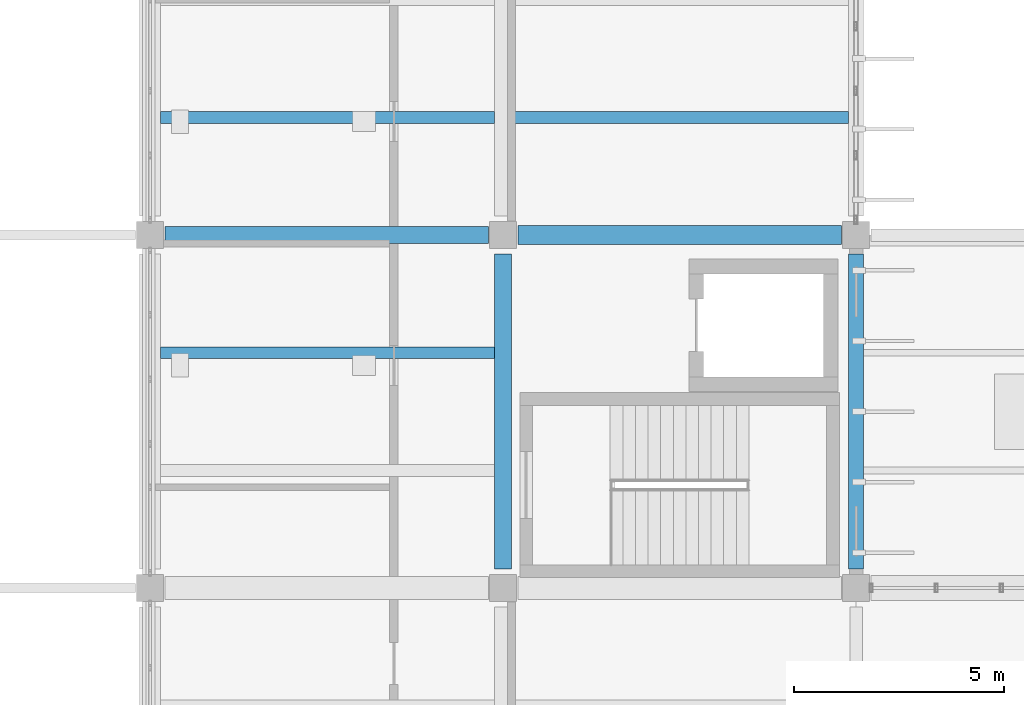
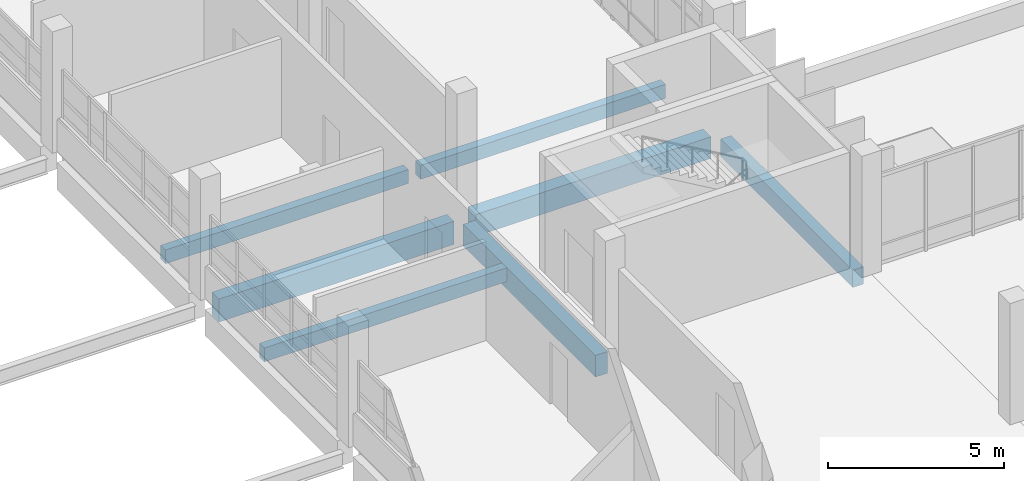
# One storey, part 39 of 101: 7 beams.
"""IFC4 building model written with IfcOpenShell, lengths in metres."""

import ifcopenshell
import ifcopenshell.guid

model = None  # the IFC model being written
_history = None  # IfcOwnerHistory: only IFC2X3 demands one
_inside = {}  # id of a spatial element -> (the spatial element, [elements in it])
_under = {}  # id of a project, library or spatial element -> (it, [spatial elements below it])
_declared = {}  # id of a project -> (the project, [libraries it declares])
_typed = {}  # id of a type object -> (the type object, [elements of that type])
_made_of = {}  # id of a material, layer set ... -> (it, [elements and type objects made of it])


def new_model(schema):
    """Start an empty IFC model of exactly this schema.

    Asked for "IFC4X3", IfcOpenShell would pick the latest addendum, in which some entities
    have other attributes; the version numbers below select the first issue.
    IFC2X3 requires an IfcOwnerHistory on every rooted entity: one is made here for all.
    """
    global model, _history
    if schema == "IFC4X3":
        model = ifcopenshell.file(schema_version=(4, 3, 0, 0))
    else:
        model = ifcopenshell.file(schema=schema)
    _inside.clear()
    _under.clear()
    _declared.clear()
    _typed.clear()
    _made_of.clear()
    _history = None
    if model.schema == "IFC2X3":
        org = make("IfcOrganization", Name="unknown")
        user = make(
            "IfcPersonAndOrganization",
            ThePerson=make("IfcPerson", FamilyName="unknown"),
            TheOrganization=org,
        )
        app = make(
            "IfcApplication",
            ApplicationDeveloper=org,
            Version="unknown",
            ApplicationFullName="unknown",
            ApplicationIdentifier="unknown",
        )
        _history = make(
            "IfcOwnerHistory",
            OwningUser=user,
            OwningApplication=app,
            ChangeAction="ADDED",
            CreationDate=0,
        )
    return model


def make(cls, **values):
    """One entity of the class cls with the attributes given. An attribute that is None is left unset."""
    return model.create_entity(
        cls, **{name: value for name, value in values.items() if value is not None}
    )


def rooted(cls, **values):
    """An entity with a GlobalId (a new one), such as an element, a storey or a relation."""
    return make(cls, GlobalId=ifcopenshell.guid.new(), OwnerHistory=_history, **values)


def si_unit(unit_type, name, prefix=None):
    """IfcSIUnit, for example si_unit("LENGTHUNIT", "METRE", prefix="MILLI")."""
    return make("IfcSIUnit", UnitType=unit_type, Prefix=prefix, Name=name)


def assignment(units):
    """IfcUnitAssignment: the units of a project."""
    return None if units is None else make("IfcUnitAssignment", Units=units)


def point(xyz):
    """IfcCartesianPoint."""
    return None if xyz is None else make("IfcCartesianPoint", Coordinates=xyz)


def direction(xyz):
    """IfcDirection."""
    return None if xyz is None else make("IfcDirection", DirectionRatios=xyz)


def frame(location, z_axis=None, x_axis=None):
    """IfcAxis2Placement3D, a coordinate frame: its origin and axes. An axis left out is left unset."""
    return make(
        "IfcAxis2Placement3D",
        Location=point(location),
        Axis=direction(z_axis),
        RefDirection=direction(x_axis),
    )


def frame_2d(location, x_axis=None):
    """IfcAxis2Placement2D, a coordinate frame in the plane: its origin and x axis."""
    return make(
        "IfcAxis2Placement2D", Location=point(location), RefDirection=direction(x_axis)
    )


def origin():
    """The frame at (0, 0, 0) with its axes left unset."""
    return frame((0.0, 0.0, 0.0))


def origin_2d():
    """The frame at (0, 0) in the plane with its x axis left unset."""
    return frame_2d((0.0, 0.0))


def place(relative_to, where):
    """IfcLocalPlacement: puts the frame where relative to a parent placement (None: the world)."""
    return make(
        "IfcLocalPlacement", PlacementRelTo=relative_to, RelativePlacement=where
    )


def context(
    kind, dimensions, precision=None, world=None, true_north=None, identifier=None
):
    """IfcGeometricRepresentationContext, for example the 3D "Model" context."""
    return make(
        "IfcGeometricRepresentationContext",
        ContextIdentifier=identifier,
        ContextType=kind,
        CoordinateSpaceDimension=dimensions,
        Precision=precision,
        WorldCoordinateSystem=world,
        TrueNorth=true_north,
    )


def subcontext(parent, identifier, kind, view, scale=None):
    """IfcGeometricRepresentationSubContext, for example "Body" below "Model"."""
    return make(
        "IfcGeometricRepresentationSubContext",
        ContextIdentifier=identifier,
        ContextType=kind,
        ParentContext=parent,
        TargetScale=scale,
        TargetView=view,
    )


def project(units=None, contexts=None):
    """IfcProject with its units and contexts."""
    return rooted(
        "IfcProject",
        Name="project",
        RepresentationContexts=contexts,
        UnitsInContext=assignment(units),
    )


def spatial(cls, under=None, at=None, **own):
    """A site, building, storey or space (cls), placed at a placement, below another one or the project."""
    s = rooted(cls, ObjectPlacement=at, **own)
    if under is not None:
        _under.setdefault(under.id(), (under, []))[1].append(s)
    return s


def profile(cls, at=None, kind="AREA", **sizes):
    """A parametric profile (cls). Its sizes go by their IFC names, for example OverallWidth=200.0."""
    return make(cls, ProfileType=kind, Position=at, **sizes)


def rectangle(**sizes):
    """IfcRectangleProfileDef."""
    return profile("IfcRectangleProfileDef", **sizes)


def extrude(swept, where, along, depth):
    """IfcExtrudedAreaSolid: the profile swept, set in the frame where, extruded along a direction by depth."""
    return make(
        "IfcExtrudedAreaSolid",
        SweptArea=swept,
        Position=where,
        ExtrudedDirection=direction(along),
        Depth=depth,
    )


def shape(context_of_items, identifier, shape_type, items):
    """IfcShapeRepresentation: the items that make up one representation, for example the "Body"."""
    return make(
        "IfcShapeRepresentation",
        ContextOfItems=context_of_items,
        RepresentationIdentifier=identifier,
        RepresentationType=shape_type,
        Items=items,
    )


def material(Name=None, Category=None):
    """IfcMaterial."""
    return make("IfcMaterial", Name=Name, Category=Category)


def material_profile(
    of_material, cross_section, Name=None, Category=None, Priority=None
):
    """IfcMaterialProfile: a cross section and its material."""
    return make(
        "IfcMaterialProfile",
        Name=Name,
        Material=of_material,
        Profile=cross_section,
        Priority=Priority,
        Category=Category,
    )


def profile_set(profiles, Name=None, composite=None):
    """IfcMaterialProfileSet."""
    return make(
        "IfcMaterialProfileSet",
        Name=Name,
        MaterialProfiles=profiles,
        CompositeProfile=composite,
    )


def made_of(thing, what):
    """Note that an element or type object is made of a material, layer set ...; save() writes the relation."""
    if what is not None:
        _made_of.setdefault(what.id(), (what, []))[1].append(thing)
    return thing


def type_object(cls, material=None, **own):
    """A type object (cls), such as IfcWallType, which elements share."""
    return made_of(rooted(cls, **own), material)


def element(
    cls,
    number,
    at=None,
    inside=None,
    cuts=None,
    type_object=None,
    material=None,
    context=None,
    identifier="Body",
    shape_type=None,
    held_by="IfcProductDefinitionShape",
    body=None,
    shapes=None,
    **own,
):
    """One element of the class cls, such as IfcWall. Its Tag is "e" and its number.

    at: its placement. inside: the storey or other place that contains it. cuts: it is an
    opening in that element (IfcRelVoidsElement). A single representation is given by context,
    identifier, shape_type and body (its items); several are given by shapes. held_by: the class
    of the entity that holds the representations. save() writes the other relations.
    """
    e = rooted(cls, Tag="e%d" % number, ObjectPlacement=at, **own)
    if body is not None:
        shapes = [shape(context, identifier, shape_type, body)]
    if shapes is not None:
        e.Representation = make(held_by, Representations=shapes)
    if inside is not None:
        _inside.setdefault(inside.id(), (inside, []))[1].append(e)
    if cuts is not None:
        rooted(
            "IfcRelVoidsElement", RelatingBuildingElement=cuts, RelatedOpeningElement=e
        )
    if type_object is not None:
        _typed.setdefault(type_object.id(), (type_object, []))[1].append(e)
    return made_of(e, material)


def aggregate(whole, parts):
    """IfcRelAggregates: a whole, such as a stair, and the parts it consists of."""
    return rooted("IfcRelAggregates", RelatingObject=whole, RelatedObjects=parts)


def save(model, path):
    """Write the relations noted so far, then the file.

    IfcRelAggregates (storeys below a building ...), IfcRelContainedInSpatialStructure (elements
    in a storey), IfcRelDefinesByType, IfcRelAssociatesMaterial and IfcRelDeclares: one each for
    every whole, place, type object, material and project.
    """
    for whole, parts in _under.values():
        aggregate(whole, parts)
    for where, things in _inside.values():
        rooted(
            "IfcRelContainedInSpatialStructure",
            RelatedElements=things,
            RelatingStructure=where,
        )
    for kind, things in _typed.values():
        rooted("IfcRelDefinesByType", RelatedObjects=things, RelatingType=kind)
    for what, things in _made_of.values():
        rooted("IfcRelAssociatesMaterial", RelatedObjects=things, RelatingMaterial=what)
    for by, libraries in _declared.values():
        rooted("IfcRelDeclares", RelatingContext=by, RelatedDefinitions=libraries)
    model.write(path)


model = new_model("IFC4")

# Units and contexts
model_context = context("Model", 3, precision=1e-05, world=origin(), true_north=direction((0.0, 1.0)))
body_context = subcontext(model_context, "Body", "Model", "MODEL_VIEW")
ifc_project = project(units=[si_unit("LENGTHUNIT", "METRE"), si_unit("AREAUNIT", "SQUARE_METRE"), si_unit("VOLUMEUNIT", "CUBIC_METRE"), si_unit("PLANEANGLEUNIT", "RADIAN"), si_unit("MASSUNIT", "GRAM", prefix="KILO")], contexts=[model_context])

# Site, building, storey
site_placement = place(None, origin())
site = spatial("IfcSite", under=ifc_project, at=site_placement, CompositionType="ELEMENT")
building_placement = place(site_placement, origin())
building = spatial("IfcBuilding", under=site, at=building_placement, Name="Vireocrest Preparatory School", CompositionType="ELEMENT")
storey_placement = place(building_placement, frame((0.0, 0.0, 4.800048828125)))
storey = spatial("IfcBuildingStorey", under=building, at=storey_placement, Name="L01", CompositionType="ELEMENT", Elevation=4.800048828125)

# Beams
ifc_material = material(Name="Concrete 40 MPa", Category="concrete")
ifc_material_profile_1 = material_profile(ifc_material, rectangle(XDim=0.35009765625, YDim=0.60009765625, at=origin_2d()), Name="RC 350x600")
ifc_profile_set_1 = profile_set([ifc_material_profile_1], Name="Concrete 40 MPa")
beam_type_1 = type_object("IfcBeamType", Name="RC Classroom Girder 350x600", PredefinedType="BEAM", material=ifc_profile_set_1)
beam_1_placement = place(storey_placement, frame((109.199951171875, 44.25, -0.56005859375), z_axis=(0.0, 1.0, 0.0), x_axis=(-1.0, 0.0, 0.0)))
element("IfcBeam", 1, at=beam_1_placement, inside=storey, type_object=beam_type_1, Name="Primary Girder B04 L01-0465", PredefinedType="BEAM", context=body_context, shape_type="SweptSolid", body=[
    extrude(rectangle(XDim=0.35009765625, YDim=0.60009765625, at=origin_2d()), origin(), (0.0, 0.0, 1.0), 7.5),
])
ifc_material_profile_2 = material_profile(ifc_material, rectangle(XDim=0.39990234375, YDim=0.75, at=origin_2d()), Name="RC 400x750")
ifc_profile_set_2 = profile_set([ifc_material_profile_2], Name="Concrete 40 MPa")
beam_type_2 = type_object("IfcBeamType", Name="RC Commons Girder 400x750", PredefinedType="BEAM", material=ifc_profile_set_2)
beam_2_placement = place(storey_placement, frame((100.800048828125, 44.25, -0.635009765625), z_axis=(0.0, 1.0, 0.0), x_axis=(-1.0, 0.0, 0.0)))
element("IfcBeam", 2, at=beam_2_placement, inside=storey, type_object=beam_type_2, Name="Primary Girder B09 L01-0452", PredefinedType="BEAM", context=body_context, shape_type="SweptSolid", body=[
    extrude(rectangle(XDim=0.39990234375, YDim=0.75, at=origin_2d()), origin(), (0.0, 0.0, 1.0), 7.5),
])
ifc_material_profile_3 = material_profile(ifc_material, rectangle(XDim=0.39990234375, YDim=0.800048828125, at=origin_2d()), Name="RC 400x800")
ifc_profile_set_3 = profile_set([ifc_material_profile_3], Name="Concrete 40 MPa")
beam_type_3 = type_object("IfcBeamType", Name="RC Library Reading Girder 400x800", PredefinedType="BEAM", material=ifc_profile_set_3)
beam_3_placement = place(storey_placement, frame((92.75, 52.199951171875, -0.66015625), z_axis=(1.0, 0.0, 0.0), x_axis=(0.0, 1.0, 0.0)))
element("IfcBeam", 3, at=beam_3_placement, inside=storey, type_object=beam_type_3, Name="Primary Girder B10 L01-0314", PredefinedType="BEAM", context=body_context, shape_type="SweptSolid", body=[
    extrude(rectangle(XDim=0.39990234375, YDim=0.800048828125, at=origin_2d()), origin(), (0.0, 0.0, 1.0), 7.699951171875),
])
ifc_material_profile_4 = material_profile(ifc_material, rectangle(XDim=0.449951171875, YDim=0.75, at=origin_2d()), Name="RC 450x750")
ifc_profile_set_4 = profile_set([ifc_material_profile_4], Name="Concrete 40 MPa")
beam_type_4 = type_object("IfcBeamType", Name="RC Library Stack Girder 450x750", PredefinedType="BEAM", material=ifc_profile_set_4)
beam_4_placement = place(storey_placement, frame((101.14990234375, 52.199951171875, -0.635009765625), z_axis=(1.0, 0.0, 0.0), x_axis=(0.0, 1.0, 0.0)))
element("IfcBeam", 4, at=beam_4_placement, inside=storey, type_object=beam_type_4, Name="Primary Girder B11 L01-0315", PredefinedType="BEAM", context=body_context, shape_type="SweptSolid", body=[
    extrude(rectangle(XDim=0.449951171875, YDim=0.75, at=origin_2d()), origin(), (0.0, 0.0, 1.0), 7.7001953125),
])
ifc_material_profile_5 = material_profile(ifc_material, rectangle(XDim=0.280029296875, YDim=0.47998046875, at=origin_2d()), Name="RC 280x480")
ifc_profile_set_5 = profile_set([ifc_material_profile_5], Name="Concrete 40 MPa")
beam_type_5 = type_object("IfcBeamType", Name="RC Secondary Lab Joist 280x480", PredefinedType="JOIST", material=ifc_profile_set_5)
for number, where, z_axis, x_axis, name in (
    (5, (92.64990234375, 49.39990234375, -0.5), (1.0, 0.0, 0.0), (0.0, 1.0, 0.0), "Secondary Joist J02 L01-0594"),
    (6, (92.64990234375, 55.0, -0.5), (1.0, 0.0, 0.0), (0.0, 1.0, 0.0), "Secondary Joist J02 L01-0595"),
):
    element("IfcBeam", number, at=place(storey_placement, frame(where, z_axis=z_axis, x_axis=x_axis)), inside=storey, type_object=beam_type_5, Name=name, PredefinedType="JOIST", context=body_context, shape_type="SweptSolid", body=[
        extrude(rectangle(XDim=0.280029296875, YDim=0.47998046875, at=origin_2d()), origin(), (0.0, 0.0, 1.0), 7.9501953125),
    ])
beam_5_placement = place(storey_placement, frame((101.0, 55.0, -0.5), z_axis=(1.0, 0.0, 0.0), x_axis=(0.0, 1.0, 0.0)))
element("IfcBeam", 7, at=beam_5_placement, inside=storey, type_object=beam_type_5, Name="Secondary Joist J02 L01-0615", PredefinedType="JOIST", context=body_context, shape_type="SweptSolid", body=[
    extrude(rectangle(XDim=0.280029296875, YDim=0.47998046875, at=origin_2d()), origin(), (0.0, 0.0, 1.0), 8.02490234375),
])

save(model, "model.ifc")
